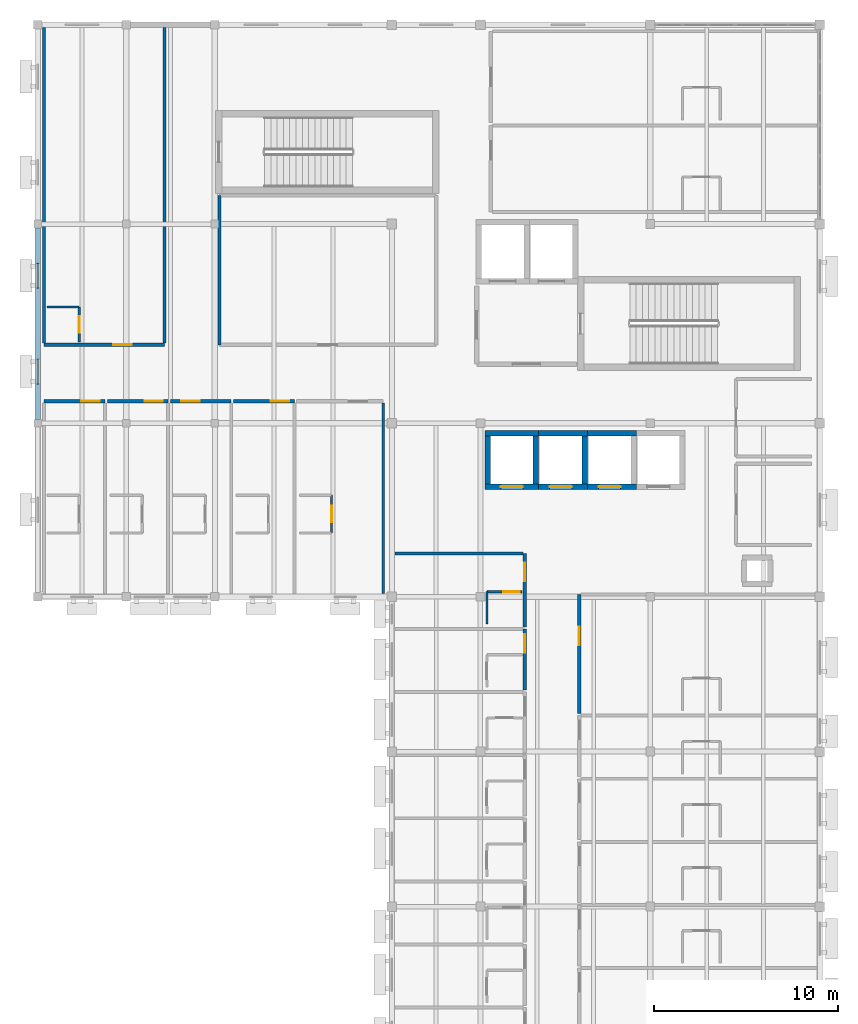
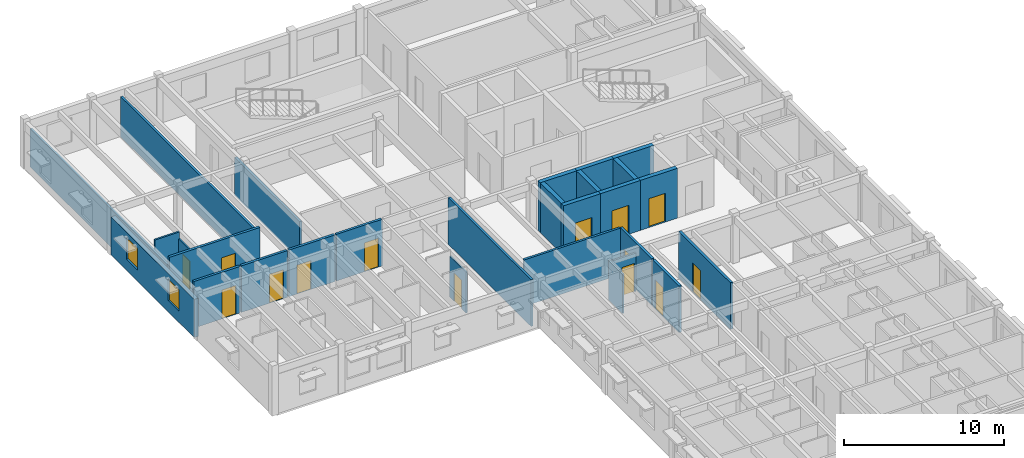
# One storey, part 13 of 22: 28 walls, 14 doors, 2 windows, 16 openings.
"""IFC4 building model written with IfcOpenShell, lengths in metres."""

from ifc_helpers import new_model, si_unit, direction, frame, frame_2d, origin, place, context, subcontext, project, spatial, rectangle, extrude, material, layer, layer_set, type_object, element, fill, save


model = new_model("IFC4")

# Units and contexts
model_context = context("Model", 3, precision=1e-05, world=origin(), true_north=direction((0.0, 1.0)))
body_context = subcontext(model_context, "Body", "Model", "MODEL_VIEW")
ifc_project = project(units=[si_unit("LENGTHUNIT", "METRE"), si_unit("AREAUNIT", "SQUARE_METRE"), si_unit("VOLUMEUNIT", "CUBIC_METRE"), si_unit("PLANEANGLEUNIT", "RADIAN"), si_unit("MASSUNIT", "GRAM", prefix="KILO")], contexts=[model_context])

# Site, building, storey
site_placement = place(None, origin())
site = spatial("IfcSite", under=ifc_project, at=site_placement, CompositionType="ELEMENT")
building_placement = place(site_placement, origin())
building = spatial("IfcBuilding", under=site, at=building_placement, Name="Veldera Park Congress Hotel", CompositionType="ELEMENT")
storey_placement = place(building_placement, frame((0.0, 0.0, 23.800048828125)))
storey = spatial("IfcBuildingStorey", under=building, at=storey_placement, Name="L05", CompositionType="ELEMENT", Elevation=23.800048828125)

# Wall, openings, windows
ifc_material_1 = material(Name="Cross-laminated timber CLT V2M1.1", Category="wood")
ifc_layer_1 = layer(ifc_material_1, 0.300048828125)
ifc_layer_set_1 = layer_set([ifc_layer_1], Name="Cross-laminated timber CLT V2M1.1")
wall_type_1 = type_object("IfcWallType", Name="EW-CLT300", PredefinedType="STANDARD", material=ifc_layer_set_1)
wall_1_placement = place(storey_placement, frame((41.60009765625, 46.991943359375, 0.0), z_axis=(0.0, 0.0, 1.0), x_axis=(0.0, -1.0, 0.0)))
wall_1 = element("IfcWall", 1, at=wall_1_placement, inside=storey, type_object=wall_type_1, Name="L05 Exterior Wall EW3-L05-0295", PredefinedType="STANDARD", context=body_context, shape_type="SweptSolid", body=[
    extrude(rectangle(XDim=10.384033203125, YDim=0.300048828125, at=frame_2d((5.19189453125, 0.0))), origin(), (0.0, 0.0, 1.0), 2.905029296875),
])
opening_1_placement = place(wall_1_placement, frame((1.9208984375, 0.0, 0.85009765625)))
opening_1 = element("IfcOpeningElement", 2, at=opening_1_placement, cuts=wall_1, Name="Opening WIN-1350", PredefinedType="OPENING", context=body_context, shape_type="SweptSolid", body=[
    extrude(rectangle(XDim=1.35009765625, YDim=1.64990234375, at=frame_2d((0.675048828125, 0.824951171875))), frame((0.0, 0.162109375, 0.0), z_axis=(0.0, -1.0, 0.0), x_axis=(1.0, 0.0, 0.0)), (0.0, 0.0, 1.0), 0.323974609375),
])
opening_2_placement = place(wall_1_placement, frame((7.113037109375, 0.0, 0.85009765625)))
opening_2 = element("IfcOpeningElement", 3, at=opening_2_placement, cuts=wall_1, Name="Opening WIN-1350", PredefinedType="OPENING", context=body_context, shape_type="SweptSolid", body=[
    extrude(rectangle(XDim=1.35009765625, YDim=1.64990234375, at=frame_2d((0.675048828125, 0.824951171875))), frame((0.0, 0.162109375, 0.0), z_axis=(0.0, -1.0, 0.0), x_axis=(1.0, 0.0, 0.0)), (0.0, 0.0, 1.0), 0.323974609375),
])
ifc_material_2 = material(Name="Low-E Triple Insulating Glass Unit (SHGC 0.22)", Category="glass")
window_type = type_object("IfcWindowType", Name="WIN-1350", PartitioningType="SINGLE_PANEL", PredefinedType="WINDOW", material=ifc_material_2)
window_1_placement = place(opening_1_placement, origin())
window_1 = element("IfcWindow", 4, at=window_1_placement, inside=storey, type_object=window_type, Name="L05 Window WIN-1350 229", OverallHeight=1.64990234375, OverallWidth=1.35009765625, PartitioningType="SINGLE_PANEL", PredefinedType="WINDOW", context=body_context, shape_type="SweptSolid", body=[
    extrude(rectangle(XDim=1.35009765625, YDim=1.64990234375, at=frame_2d((0.675048828125, 0.824951171875))), frame((0.0, 0.030029296875, 0.0), z_axis=(0.0, -1.0, 0.0), x_axis=(1.0, 0.0, 0.0)), (0.0, 0.0, 1.0), 0.06005859375),
])
fill(opening_1, window_1)
window_2_placement = place(opening_2_placement, origin())
window_2 = element("IfcWindow", 5, at=window_2_placement, inside=storey, type_object=window_type, Name="L05 Window WIN-1350 230", OverallHeight=1.64990234375, OverallWidth=1.35009765625, PartitioningType="SINGLE_PANEL", PredefinedType="WINDOW", context=body_context, shape_type="SweptSolid", body=[
    extrude(rectangle(XDim=1.35009765625, YDim=1.64990234375, at=frame_2d((0.675048828125, 0.824951171875))), frame((0.0, 0.030029296875, 0.0), z_axis=(0.0, -1.0, 0.0), x_axis=(1.0, 0.0, 0.0)), (0.0, 0.0, 1.0), 0.06005859375),
])
fill(opening_2, window_2)

# Wall
ifc_material_3 = material(Name="Fire-Rated Gypsum Board on Cold-Formed Steel Studs", Category="steel")
ifc_layer_2 = layer(ifc_material_3, 0.1201171875)
ifc_layer_set_2 = layer_set([ifc_layer_2], Name="Fire-Rated Gypsum Board on Cold-Formed Steel Studs")
wall_type_2 = type_object("IfcWallType", Name="IW-BATH120", PredefinedType="PARTITIONING", material=ifc_layer_set_2)
wall_2_placement = place(storey_placement, frame((65.949951171875, 25.52001953125, 0.0), z_axis=(0.0, 0.0, 1.0), x_axis=(0.0, 1.0, 0.0)))
element("IfcWall", 6, at=wall_2_placement, inside=storey, type_object=wall_type_2, Name="L05 Partition Wall IW3-L05-01075", PredefinedType="PARTITIONING", context=body_context, shape_type="SweptSolid", body=[
    extrude(rectangle(XDim=1.75, YDim=0.1201171875, at=frame_2d((0.875, 0.0))), origin(), (0.0, 0.0, 1.0), 3.0048828125),
])

# Wall, opening, door
wall_3_placement = place(storey_placement, frame((65.949951171875, 27.27001953125, 0.0), z_axis=(0.0, 0.0, 1.0), x_axis=(1.0, 0.0, 0.0)))
wall_3 = element("IfcWall", 7, at=wall_3_placement, inside=storey, type_object=wall_type_2, Name="L05 Partition Wall IW3-L05-01076", PredefinedType="PARTITIONING", context=body_context, shape_type="SweptSolid", body=[
    extrude(rectangle(XDim=1.900146484375, YDim=0.1201171875, at=frame_2d((0.9501953125, 0.0))), origin(), (0.0, 0.0, 1.0), 2.905029296875),
])
opening_3_placement = place(wall_3_placement, frame((0.8798828125, 0.0, 0.0)))
opening_3 = element("IfcOpeningElement", 8, at=opening_3_placement, cuts=wall_3, Name="Opening ID-BATH090", PredefinedType="OPENING", context=body_context, shape_type="SweptSolid", body=[
    extrude(rectangle(XDim=0.89990234375, YDim=2.14990234375, at=frame_2d((0.449951171875, 1.074951171875))), frame((0.0, 0.072021484375, 0.0), z_axis=(0.0, -1.0, 0.0), x_axis=(1.0, 0.0, 0.0)), (0.0, 0.0, 1.0), 0.14404296875),
])
ifc_material_4 = material(Name="Solid Core White Oak Architectural Door", Category="wood")
door_type_1 = type_object("IfcDoorType", Name="ID-BATH090", OperationType="NOTDEFINED", PredefinedType="DOOR", material=ifc_material_4)
door_1_placement = place(opening_3_placement, origin())
door_1 = element("IfcDoor", 9, at=door_1_placement, inside=storey, type_object=door_type_1, Name="L05 En-suite 155 Door ID3-L05-0449 (DR3-ID3-L05-0449)", OperationType="SINGLE_SWING_LEFT", OverallHeight=2.14990234375, OverallWidth=0.89990234375, PredefinedType="DOOR", context=body_context, shape_type="SweptSolid", body=[
    extrude(rectangle(XDim=0.89990234375, YDim=2.14990234375, at=frame_2d((0.449951171875, 1.074951171875))), frame((0.0, 0.02490234375, 0.0), z_axis=(0.0, -1.0, 0.0), x_axis=(1.0, 0.0, 0.0)), (0.0, 0.0, 1.0), 0.050048828125),
])
fill(opening_3, door_1)

wall_4_placement = place(storey_placement, frame((57.530029296875, 30.449951171875, 0.0), z_axis=(0.0, 0.0, 1.0), x_axis=(0.0, 1.0, 0.0)))
wall_4 = element("IfcWall", 10, at=wall_4_placement, inside=storey, type_object=wall_type_2, Name="L05 Partition Wall IW3-L05-01173", PredefinedType="PARTITIONING", context=body_context, shape_type="SweptSolid", body=[
    extrude(rectangle(XDim=2.050048828125, YDim=0.1201171875, at=frame_2d((1.02490234375, 0.0))), origin(), (0.0, 0.0, 1.0), 3.094970703125),
])
opening_4_placement = place(wall_4_placement, frame((0.574951171875, 0.0, 0.0)))
opening_4 = element("IfcOpeningElement", 11, at=opening_4_placement, cuts=wall_4, Name="Opening ID-BATH090", PredefinedType="OPENING", context=body_context, shape_type="SweptSolid", body=[
    extrude(rectangle(XDim=0.89990234375, YDim=2.14990234375, at=frame_2d((0.449951171875, 1.074951171875))), frame((0.0, 0.072021484375, 0.0), z_axis=(0.0, -1.0, 0.0), x_axis=(1.0, 0.0, 0.0)), (0.0, 0.0, 1.0), 0.14404296875),
])
door_2_placement = place(opening_4_placement, origin())
door_2 = element("IfcDoor", 12, at=door_2_placement, inside=storey, type_object=door_type_1, Name="L05 En-suite 174 Door ID3-L05-0487 (DR3-ID3-L05-0487)", OperationType="SINGLE_SWING_LEFT", OverallHeight=2.14990234375, OverallWidth=0.89990234375, PredefinedType="DOOR", context=body_context, shape_type="SweptSolid", body=[
    extrude(rectangle(XDim=0.89990234375, YDim=2.14990234375, at=frame_2d((0.449951171875, 1.074951171875))), frame((0.0, 0.02490234375, 0.0), z_axis=(0.0, -1.0, 0.0), x_axis=(1.0, 0.0, 0.0)), (0.0, 0.0, 1.0), 0.050048828125),
])
fill(opening_4, door_2)

wall_5_placement = place(storey_placement, frame((43.85009765625, 40.800048828125, 0.0), z_axis=(0.0, 0.0, 1.0), x_axis=(0.0, 1.0, 0.0)))
wall_5 = element("IfcWall", 13, at=wall_5_placement, inside=storey, type_object=wall_type_2, Name="L05 Partition Wall IW3-L05-01189", PredefinedType="PARTITIONING", context=body_context, shape_type="SweptSolid", body=[
    extrude(rectangle(XDim=1.89990234375, YDim=0.1201171875, at=frame_2d((0.949951171875, 0.0))), origin(), (0.0, 0.0, 1.0), 3.050048828125),
])
opening_5_placement = place(wall_5_placement, frame((0.5, 0.0, 0.0)))
opening_5 = element("IfcOpeningElement", 14, at=opening_5_placement, cuts=wall_5, Name="Opening ID-BATH090", PredefinedType="OPENING", context=body_context, shape_type="SweptSolid", body=[
    extrude(rectangle(XDim=0.89990234375, YDim=2.14990234375, at=frame_2d((0.449951171875, 1.074951171875))), frame((0.0, 0.072021484375, 0.0), z_axis=(0.0, -1.0, 0.0), x_axis=(1.0, 0.0, 0.0)), (0.0, 0.0, 1.0), 0.14404296875),
])
door_3_placement = place(opening_5_placement, origin())
door_3 = element("IfcDoor", 15, at=door_3_placement, inside=storey, type_object=door_type_1, Name="L05 En-suite 177 Door ID3-L05-0493 (DR3-ID3-L05-0493)", OperationType="SINGLE_SWING_LEFT", OverallHeight=2.14990234375, OverallWidth=0.89990234375, PredefinedType="DOOR", context=body_context, shape_type="SweptSolid", body=[
    extrude(rectangle(XDim=0.89990234375, YDim=2.14990234375, at=frame_2d((0.449951171875, 1.074951171875))), frame((0.0, 0.02490234375, 0.0), z_axis=(0.0, -1.0, 0.0), x_axis=(1.0, 0.0, 0.0)), (0.0, 0.0, 1.0), 0.050048828125),
])
fill(opening_5, door_3)

# Walls
wall_6_placement = place(storey_placement, frame((42.10009765625, 42.699951171875, 0.0), z_axis=(0.0, 0.0, 1.0), x_axis=(1.0, 0.0, 0.0)))
element("IfcWall", 16, at=wall_6_placement, inside=storey, type_object=wall_type_2, Name="L05 Partition Wall IW3-L05-01190", PredefinedType="PARTITIONING", context=body_context, shape_type="SweptSolid", body=[
    extrude(rectangle(XDim=1.75, YDim=0.1201171875, at=frame_2d((0.875, 0.0))), origin(), (0.0, 0.0, 1.0), 3.550048828125),
])
ifc_layer_3 = layer(ifc_material_3, 0.179931640625)
ifc_layer_set_3 = layer_set([ifc_layer_3], Name="Fire-Rated Gypsum Board on Cold-Formed Steel Studs")
wall_type_3 = type_object("IfcWallType", Name="IW-CORR180", PredefinedType="PARTITIONING", material=ifc_layer_set_3)
wall_7_placement = place(storey_placement, frame((51.449951171875, 48.75, 0.0), z_axis=(0.0, 0.0, 1.0), x_axis=(0.0, -1.0, 0.0)))
element("IfcWall", 17, at=wall_7_placement, inside=storey, type_object=wall_type_3, Name="L05 Partition Wall IW3-L05-00265", PredefinedType="PARTITIONING", context=body_context, shape_type="SweptSolid", body=[
    extrude(rectangle(XDim=8.10009765625, YDim=0.179931640625, at=frame_2d((4.050048828125, 0.0))), origin(), (0.0, 0.0, 1.0), 2.905029296875),
])

# Wall, opening, door
wall_8_placement = place(storey_placement, frame((68.0, 21.949951171875, 0.0), z_axis=(0.0, 0.0, 1.0), x_axis=(0.0, 1.0, 0.0)))
wall_8 = element("IfcWall", 18, at=wall_8_placement, inside=storey, type_object=wall_type_3, Name="L05 Corridor Wall IW3-L05-01069", PredefinedType="PARTITIONING", context=body_context, shape_type="SweptSolid", body=[
    extrude(rectangle(XDim=3.300048828125, YDim=0.179931640625, at=frame_2d((1.64990234375, 0.0))), origin(), (0.0, 0.0, 1.0), 3.550048828125),
])
opening_6_placement = place(wall_8_placement, frame((2.02001953125, 0.0, 0.0)))
opening_6 = element("IfcOpeningElement", 19, at=opening_6_placement, cuts=wall_8, Name="Opening ID-UNIT100", PredefinedType="OPENING", context=body_context, shape_type="SweptSolid", body=[
    extrude(rectangle(XDim=1.0, YDim=2.199951171875, at=frame_2d((0.5, 1.10009765625))), frame((0.0, 0.10205078125, 0.0), z_axis=(0.0, -1.0, 0.0), x_axis=(1.0, 0.0, 0.0)), (0.0, 0.0, 1.0), 0.203857421875),
])
door_type_2 = type_object("IfcDoorType", Name="ID-UNIT100", OperationType="NOTDEFINED", PredefinedType="DOOR", material=ifc_material_4)
door_4_placement = place(opening_6_placement, origin())
door_4 = element("IfcDoor", 20, at=door_4_placement, inside=storey, type_object=door_type_2, Name="L05 Guestroom 154 Entry Door (DR3-UD3-L05-154)", OperationType="SINGLE_SWING_RIGHT", OverallHeight=2.199951171875, OverallWidth=1.0, PredefinedType="DOOR", context=body_context, shape_type="SweptSolid", body=[
    extrude(rectangle(XDim=1.0, YDim=2.199951171875, at=frame_2d((0.5, 1.10009765625))), frame((0.0, 0.02490234375, 0.0), z_axis=(0.0, -1.0, 0.0), x_axis=(1.0, 0.0, 0.0)), (0.0, 0.0, 1.0), 0.050048828125),
])
fill(opening_6, door_4)

wall_9_placement = place(storey_placement, frame((68.0, 25.3701171875, 0.0), z_axis=(0.0, 0.0, 1.0), x_axis=(0.0, 1.0, 0.0)))
wall_9 = element("IfcWall", 21, at=wall_9_placement, inside=storey, type_object=wall_type_3, Name="L05 Corridor Wall IW3-L05-01073", PredefinedType="PARTITIONING", context=body_context, shape_type="SweptSolid", body=[
    extrude(rectangle(XDim=3.9599609375, YDim=0.179931640625, at=frame_2d((1.97998046875, 0.0))), origin(), (0.0, 0.0, 1.0), 3.550048828125),
])
opening_7_placement = place(wall_9_placement, frame((2.4599609375, 0.0, 0.0)))
opening_7 = element("IfcOpeningElement", 22, at=opening_7_placement, cuts=wall_9, Name="Opening ID-UNIT100", PredefinedType="OPENING", context=body_context, shape_type="SweptSolid", body=[
    extrude(rectangle(XDim=1.0, YDim=2.199951171875, at=frame_2d((0.5, 1.10009765625))), frame((0.0, 0.10205078125, 0.0), z_axis=(0.0, -1.0, 0.0), x_axis=(1.0, 0.0, 0.0)), (0.0, 0.0, 1.0), 0.203857421875),
])
door_5_placement = place(opening_7_placement, origin())
door_5 = element("IfcDoor", 23, at=door_5_placement, inside=storey, type_object=door_type_2, Name="L05 Guestroom 155 Entry Door (DR3-UD3-L05-155)", OperationType="SINGLE_SWING_RIGHT", OverallHeight=2.199951171875, OverallWidth=1.0, PredefinedType="DOOR", context=body_context, shape_type="SweptSolid", body=[
    extrude(rectangle(XDim=1.0, YDim=2.199951171875, at=frame_2d((0.5, 1.10009765625))), frame((0.0, 0.02490234375, 0.0), z_axis=(0.0, -1.0, 0.0), x_axis=(1.0, 0.0, 0.0)), (0.0, 0.0, 1.0), 0.050048828125),
])
fill(opening_7, door_5)

wall_10_placement = place(storey_placement, frame((70.949951171875, 27.1298828125, 0.0), z_axis=(0.0, 0.0, 1.0), x_axis=(0.0, -1.0, 0.0)))
wall_10 = element("IfcWall", 24, at=wall_10_placement, inside=storey, type_object=wall_type_3, Name="L05 Corridor Wall IW3-L05-01144", PredefinedType="PARTITIONING", context=body_context, shape_type="SweptSolid", body=[
    extrude(rectangle(XDim=6.4599609375, YDim=0.179931640625, at=frame_2d((3.22998046875, 0.0))), origin(), (0.0, 0.0, 1.0), 3.550048828125),
])
opening_8_placement = place(wall_10_placement, frame((1.75, 0.0, 0.0)))
opening_8 = element("IfcOpeningElement", 25, at=opening_8_placement, cuts=wall_10, Name="Opening ID-UNIT100", PredefinedType="OPENING", context=body_context, shape_type="SweptSolid", body=[
    extrude(rectangle(XDim=1.0, YDim=2.199951171875, at=frame_2d((0.5, 1.10009765625))), frame((0.0, 0.10205078125, 0.0), z_axis=(0.0, -1.0, 0.0), x_axis=(1.0, 0.0, 0.0)), (0.0, 0.0, 1.0), 0.203857421875),
])
door_6_placement = place(opening_8_placement, origin())
door_6 = element("IfcDoor", 26, at=door_6_placement, inside=storey, type_object=door_type_2, Name="L05 Guestroom 169 Entry Door (DR3-UD3-L05-169)", OperationType="SINGLE_SWING_RIGHT", OverallHeight=2.199951171875, OverallWidth=1.0, PredefinedType="DOOR", context=body_context, shape_type="SweptSolid", body=[
    extrude(rectangle(XDim=1.0, YDim=2.199951171875, at=frame_2d((0.5, 1.10009765625))), frame((0.0, 0.02490234375, 0.0), z_axis=(0.0, -1.0, 0.0), x_axis=(1.0, 0.0, 0.0)), (0.0, 0.0, 1.0), 0.050048828125),
])
fill(opening_8, door_6)

wall_11_placement = place(storey_placement, frame((45.25, 37.60009765625, 0.0), z_axis=(0.0, 0.0, 1.0), x_axis=(-1.0, 0.0, 0.0)))
wall_11 = element("IfcWall", 27, at=wall_11_placement, inside=storey, type_object=wall_type_3, Name="L05 Corridor Wall IW3-L05-01149", PredefinedType="PARTITIONING", context=body_context, shape_type="SweptSolid", body=[
    extrude(rectangle(XDim=3.300048828125, YDim=0.179931640625, at=frame_2d((1.64990234375, 0.0))), origin(), (0.0, 0.0, 1.0), 3.550048828125),
])
opening_9_placement = place(wall_11_placement, frame((0.280029296875, 0.0, 0.0)))
opening_9 = element("IfcOpeningElement", 28, at=opening_9_placement, cuts=wall_11, Name="Opening ID-UNIT100", PredefinedType="OPENING", context=body_context, shape_type="SweptSolid", body=[
    extrude(rectangle(XDim=1.0, YDim=2.199951171875, at=frame_2d((0.5, 1.10009765625))), frame((0.0, 0.10205078125, 0.0), z_axis=(0.0, -1.0, 0.0), x_axis=(1.0, 0.0, 0.0)), (0.0, 0.0, 1.0), 0.203857421875),
])
door_7_placement = place(opening_9_placement, frame((1.0, 0.0, 0.0), z_axis=(0.0, 0.0, 1.0), x_axis=(-1.0, 0.0, 0.0)))
door_7 = element("IfcDoor", 29, at=door_7_placement, inside=storey, type_object=door_type_2, Name="L05 Guestroom 170 Entry Door (DR3-UD3-L05-170)", OperationType="SINGLE_SWING_RIGHT", OverallHeight=2.199951171875, OverallWidth=1.0, PredefinedType="DOOR", context=body_context, shape_type="SweptSolid", body=[
    extrude(rectangle(XDim=1.0, YDim=2.199951171875, at=frame_2d((0.5, 1.10009765625))), frame((0.0, 0.02490234375, 0.0), z_axis=(0.0, -1.0, 0.0), x_axis=(1.0, 0.0, 0.0)), (0.0, 0.0, 1.0), 0.050048828125),
])
fill(opening_9, door_7)

wall_12_placement = place(storey_placement, frame((48.669921875, 37.60009765625, 0.0), z_axis=(0.0, 0.0, 1.0), x_axis=(-1.0, 0.0, 0.0)))
wall_12 = element("IfcWall", 30, at=wall_12_placement, inside=storey, type_object=wall_type_3, Name="L05 Corridor Wall IW3-L05-01155", PredefinedType="PARTITIONING", context=body_context, shape_type="SweptSolid", body=[
    extrude(rectangle(XDim=3.2998046875, YDim=0.179931640625, at=frame_2d((1.64990234375, 0.0))), origin(), (0.0, 0.0, 1.0), 3.550048828125),
])
opening_10_placement = place(wall_12_placement, frame((0.280029296875, 0.0, 0.0)))
opening_10 = element("IfcOpeningElement", 31, at=opening_10_placement, cuts=wall_12, Name="Opening ID-UNIT100", PredefinedType="OPENING", context=body_context, shape_type="SweptSolid", body=[
    extrude(rectangle(XDim=1.0, YDim=2.199951171875, at=frame_2d((0.5, 1.10009765625))), frame((0.0, 0.10205078125, 0.0), z_axis=(0.0, -1.0, 0.0), x_axis=(1.0, 0.0, 0.0)), (0.0, 0.0, 1.0), 0.203857421875),
])
door_8_placement = place(opening_10_placement, frame((1.0, 0.0, 0.0), z_axis=(0.0, 0.0, 1.0), x_axis=(-1.0, 0.0, 0.0)))
door_8 = element("IfcDoor", 32, at=door_8_placement, inside=storey, type_object=door_type_2, Name="L05 Guestroom 171 Entry Door (DR3-UD3-L05-171)", OperationType="SINGLE_SWING_RIGHT", OverallHeight=2.199951171875, OverallWidth=1.0, PredefinedType="DOOR", context=body_context, shape_type="SweptSolid", body=[
    extrude(rectangle(XDim=1.0, YDim=2.199951171875, at=frame_2d((0.5, 1.10009765625))), frame((0.0, 0.02490234375, 0.0), z_axis=(0.0, -1.0, 0.0), x_axis=(1.0, 0.0, 0.0)), (0.0, 0.0, 1.0), 0.050048828125),
])
fill(opening_10, door_8)

wall_13_placement = place(storey_placement, frame((52.090087890625, 37.60009765625, 0.0), z_axis=(0.0, 0.0, 1.0), x_axis=(-1.0, 0.0, 0.0)))
wall_13 = element("IfcWall", 33, at=wall_13_placement, inside=storey, type_object=wall_type_3, Name="L05 Corridor Wall IW3-L05-01160", PredefinedType="PARTITIONING", context=body_context, shape_type="SweptSolid", body=[
    extrude(rectangle(XDim=3.300048828125, YDim=0.179931640625, at=frame_2d((1.64990234375, 0.0))), origin(), (0.0, 0.0, 1.0), 3.550048828125),
])
opening_11_placement = place(wall_13_placement, frame((1.716552734375, 0.0, 0.0)))
opening_11 = element("IfcOpeningElement", 34, at=opening_11_placement, cuts=wall_13, Name="Opening ID-UNIT100", PredefinedType="OPENING", context=body_context, shape_type="SweptSolid", body=[
    extrude(rectangle(XDim=1.0, YDim=2.199951171875, at=frame_2d((0.5, 1.10009765625))), frame((0.0, 0.10205078125, 0.0), z_axis=(0.0, -1.0, 0.0), x_axis=(1.0, 0.0, 0.0)), (0.0, 0.0, 1.0), 0.203857421875),
])
door_9_placement = place(opening_11_placement, frame((1.0, 0.0, 0.0), z_axis=(0.0, 0.0, 1.0), x_axis=(-1.0, 0.0, 0.0)))
door_9 = element("IfcDoor", 35, at=door_9_placement, inside=storey, type_object=door_type_2, Name="L05 Guestroom 172 Entry Door (DR3-UD3-L05-172)", OperationType="SINGLE_SWING_RIGHT", OverallHeight=2.199951171875, OverallWidth=1.0, PredefinedType="DOOR", context=body_context, shape_type="SweptSolid", body=[
    extrude(rectangle(XDim=1.0, YDim=2.199951171875, at=frame_2d((0.5, 1.10009765625))), frame((0.0, 0.02490234375, 0.0), z_axis=(0.0, -1.0, 0.0), x_axis=(1.0, 0.0, 0.0)), (0.0, 0.0, 1.0), 0.050048828125),
])
fill(opening_11, door_9)

wall_14_placement = place(storey_placement, frame((55.510009765625, 37.60009765625, 0.0), z_axis=(0.0, 0.0, 1.0), x_axis=(-1.0, 0.0, 0.0)))
wall_14 = element("IfcWall", 36, at=wall_14_placement, inside=storey, type_object=wall_type_3, Name="L05 Corridor Wall IW3-L05-01165", PredefinedType="PARTITIONING", context=body_context, shape_type="SweptSolid", body=[
    extrude(rectangle(XDim=3.300048828125, YDim=0.179931640625, at=frame_2d((1.64990234375, 0.0))), origin(), (0.0, 0.0, 1.0), 3.550048828125),
])
opening_12_placement = place(wall_14_placement, frame((0.280029296875, 0.0, 0.0)))
opening_12 = element("IfcOpeningElement", 37, at=opening_12_placement, cuts=wall_14, Name="Opening ID-UNIT100", PredefinedType="OPENING", context=body_context, shape_type="SweptSolid", body=[
    extrude(rectangle(XDim=1.0, YDim=2.199951171875, at=frame_2d((0.5, 1.10009765625))), frame((0.0, 0.10205078125, 0.0), z_axis=(0.0, -1.0, 0.0), x_axis=(1.0, 0.0, 0.0)), (0.0, 0.0, 1.0), 0.203857421875),
])
door_10_placement = place(opening_12_placement, frame((1.0, 0.0, 0.0), z_axis=(0.0, 0.0, 1.0), x_axis=(-1.0, 0.0, 0.0)))
door_10 = element("IfcDoor", 38, at=door_10_placement, inside=storey, type_object=door_type_2, Name="L05 Guestroom 173 Entry Door (DR3-UD3-L05-173)", OperationType="SINGLE_SWING_RIGHT", OverallHeight=2.199951171875, OverallWidth=1.0, PredefinedType="DOOR", context=body_context, shape_type="SweptSolid", body=[
    extrude(rectangle(XDim=1.0, YDim=2.199951171875, at=frame_2d((0.5, 1.10009765625))), frame((0.0, 0.02490234375, 0.0), z_axis=(0.0, -1.0, 0.0), x_axis=(1.0, 0.0, 0.0)), (0.0, 0.0, 1.0), 0.050048828125),
])
fill(opening_12, door_10)

wall_15_placement = place(storey_placement, frame((41.949951171875, 40.64990234375, 0.0), z_axis=(0.0, 0.0, 1.0), x_axis=(1.0, 0.0, 0.0)))
wall_15 = element("IfcWall", 39, at=wall_15_placement, inside=storey, type_object=wall_type_3, Name="L05 Corridor Wall IW3-L05-01186", PredefinedType="PARTITIONING", context=body_context, shape_type="SweptSolid", body=[
    extrude(rectangle(XDim=6.530029296875, YDim=0.179931640625, at=frame_2d((3.26513671875, 0.0))), origin(), (0.0, 0.0, 1.0), 3.550048828125),
])
opening_13_placement = place(wall_15_placement, frame((3.7451171875, 0.0, 0.0)))
opening_13 = element("IfcOpeningElement", 40, at=opening_13_placement, cuts=wall_15, Name="Opening ID-UNIT100", PredefinedType="OPENING", context=body_context, shape_type="SweptSolid", body=[
    extrude(rectangle(XDim=1.0, YDim=2.199951171875, at=frame_2d((0.5, 1.10009765625))), frame((0.0, 0.10205078125, 0.0), z_axis=(0.0, -1.0, 0.0), x_axis=(1.0, 0.0, 0.0)), (0.0, 0.0, 1.0), 0.203857421875),
])
door_11_placement = place(opening_13_placement, frame((1.0, 0.0, 0.0), z_axis=(0.0, 0.0, 1.0), x_axis=(-1.0, 0.0, 0.0)))
door_11 = element("IfcDoor", 41, at=door_11_placement, inside=storey, type_object=door_type_2, Name="L05 Guestroom 177 Entry Door (DR3-UD3-L05-177)", OperationType="SINGLE_SWING_RIGHT", OverallHeight=2.199951171875, OverallWidth=1.0, PredefinedType="DOOR", context=body_context, shape_type="SweptSolid", body=[
    extrude(rectangle(XDim=1.0, YDim=2.199951171875, at=frame_2d((0.5, 1.10009765625))), frame((0.0, 0.02490234375, 0.0), z_axis=(0.0, -1.0, 0.0), x_axis=(1.0, 0.0, 0.0)), (0.0, 0.0, 1.0), 0.050048828125),
])
fill(opening_13, door_11)

# Walls
ifc_layer_4 = layer(ifc_material_1, 0.159912109375)
ifc_layer_set_4 = layer_set([ifc_layer_4], Name="Cross-laminated timber CLT V2M1.1")
wall_type_4 = type_object("IfcWallType", Name="IW-UNIT160", PredefinedType="PARTITIONING", material=ifc_layer_set_4)
wall_16_placement = place(storey_placement, frame((60.9599609375, 29.330078125, 0.0), z_axis=(0.0, 0.0, 1.0), x_axis=(1.0, 0.0, 0.0)))
element("IfcWall", 42, at=wall_16_placement, inside=storey, type_object=wall_type_4, Name="L05 Partition Wall IW3-L05-01074", PredefinedType="PARTITIONING", context=body_context, shape_type="SweptSolid", body=[
    extrude(rectangle(XDim=6.93994140625, YDim=0.159912109375, at=frame_2d((3.469970703125, 0.0))), origin(), (0.0, 0.0, 1.0), 3.550048828125),
])
wall_17_placement = place(storey_placement, frame((60.330078125, 27.159912109375, 0.0), z_axis=(0.0, 0.0, 1.0), x_axis=(0.0, 1.0, 0.0)))
element("IfcWall", 43, at=wall_17_placement, inside=storey, type_object=wall_type_4, Name="L05 Partition Wall IW3-L05-01171", PredefinedType="PARTITIONING", context=body_context, shape_type="SweptSolid", body=[
    extrude(rectangle(XDim=10.340087890625, YDim=0.159912109375, at=frame_2d((5.169921875, 0.0))), origin(), (0.0, 0.0, 1.0), 3.550048828125),
])
wall_18_placement = place(storey_placement, frame((41.949951171875, 40.75, 0.0), z_axis=(0.0, 0.0, 1.0), x_axis=(0.0, 1.0, 0.0)))
element("IfcWall", 44, at=wall_18_placement, inside=storey, type_object=wall_type_4, Name="L05 Partition Wall IW3-L05-01187", PredefinedType="PARTITIONING", context=body_context, shape_type="SweptSolid", body=[
    extrude(rectangle(XDim=17.090087890625, YDim=0.159912109375, at=frame_2d((8.544921875, 0.0))), origin(), (0.0, 0.0, 1.0), 2.905029296875),
])
wall_19_placement = place(storey_placement, frame((48.47998046875, 40.75, 0.0), z_axis=(0.0, 0.0, 1.0), x_axis=(0.0, 1.0, 0.0)))
element("IfcWall", 45, at=wall_19_placement, inside=storey, type_object=wall_type_4, Name="L05 Partition Wall IW3-L05-01188", PredefinedType="PARTITIONING", context=body_context, shape_type="SweptSolid", body=[
    extrude(rectangle(XDim=17.090087890625, YDim=0.159912109375, at=frame_2d((8.544921875, 0.0))), origin(), (0.0, 0.0, 1.0), 3.050048828125),
])

# Wall, opening, door
ifc_material_5 = material(Name="Concrete f'c 40 MPa (5,800 psi)", Category="concrete")
ifc_layer_5 = layer(ifc_material_5, 0.300048828125)
ifc_layer_set_5 = layer_set([ifc_layer_5], Name="Concrete f'c 40 MPa (5,800 psi)")
wall_type_5 = type_object("IfcWallType", Name="SW-SHFT300", PredefinedType="SHEAR", material=ifc_layer_set_5)
wall_20_placement = place(storey_placement, frame((65.85009765625, 32.949951171875, 0.0), z_axis=(0.0, 0.0, 1.0), x_axis=(1.0, 0.0, 0.0)))
wall_20 = element("IfcWall", 46, at=wall_20_placement, inside=storey, type_object=wall_type_5, Name="Lift PL-01 Shaft Wall L05-S", PredefinedType="SHEAR", context=body_context, shape_type="SweptSolid", body=[
    extrude(rectangle(XDim=2.89990234375, YDim=0.300048828125, at=frame_2d((1.449951171875, 0.0))), origin(), (0.0, 0.0, 1.0), 3.800048828125),
])
opening_14_placement = place(wall_20_placement, frame((0.85009765625, 0.0, 0.0)))
opening_14 = element("IfcOpeningElement", 47, at=opening_14_placement, cuts=wall_20, Name="Opening LD-120", PredefinedType="OPENING", context=body_context, shape_type="SweptSolid", body=[
    extrude(rectangle(XDim=1.199951171875, YDim=2.199951171875, at=frame_2d((0.60009765625, 1.10009765625))), frame((0.0, 0.162109375, 0.0), z_axis=(0.0, -1.0, 0.0), x_axis=(1.0, 0.0, 0.0)), (0.0, 0.0, 1.0), 0.323974609375),
])
ifc_material_6 = material(Name="Hollow Metal Fire-Rated Steel Door", Category="steel")
door_type_3 = type_object("IfcDoorType", Name="LD-120", OperationType="DOUBLE_DOOR_SLIDING", PredefinedType="DOOR", material=ifc_material_6)
door_12_placement = place(opening_14_placement, origin())
door_12 = element("IfcDoor", 48, at=door_12_placement, inside=storey, type_object=door_type_3, Name="L05 Lift PL-01 Landing Door (DR3-LD-PL-01-L05)", OperationType="DOUBLE_DOOR_SLIDING", OverallHeight=2.199951171875, OverallWidth=1.199951171875, PredefinedType="DOOR", context=body_context, shape_type="SweptSolid", body=[
    extrude(rectangle(XDim=1.199951171875, YDim=2.199951171875, at=frame_2d((0.60009765625, 1.10009765625))), frame((0.0, 0.02490234375, 0.0), z_axis=(0.0, -1.0, 0.0), x_axis=(1.0, 0.0, 0.0)), (0.0, 0.0, 1.0), 0.050048828125),
])
fill(opening_14, door_12)

# Walls
wall_21_placement = place(storey_placement, frame((68.75, 35.85009765625, 0.0), z_axis=(0.0, 0.0, 1.0), x_axis=(-1.0, 0.0, 0.0)))
element("IfcWall", 49, at=wall_21_placement, inside=storey, type_object=wall_type_5, Name="Lift PL-01 Shaft Wall L05-N", PredefinedType="SHEAR", context=body_context, shape_type="SweptSolid", body=[
    extrude(rectangle(XDim=2.89990234375, YDim=0.300048828125, at=frame_2d((1.449951171875, 0.0))), origin(), (0.0, 0.0, 1.0), 3.800048828125),
])
for number, where, z_axis, x_axis, name in (
    (50, (68.60009765625, 33.10009765625, 0.0), (0.0, 0.0, 1.0), (0.0, 1.0, 0.0), "Lift PL-01 Shaft Wall L05-E"),
    (51, (66.0, 35.699951171875, 0.0), (0.0, 0.0, 1.0), (0.0, -1.0, 0.0), "Lift PL-01 Shaft Wall L05-W"),
):
    element("IfcWall", number, at=place(storey_placement, frame(where, z_axis=z_axis, x_axis=x_axis)), inside=storey, type_object=wall_type_5, Name=name, PredefinedType="SHEAR", context=body_context, shape_type="SweptSolid", body=[
        extrude(rectangle(XDim=2.599853515625, YDim=0.300048828125, at=frame_2d((1.2998046875, 0.0))), origin(), (0.0, 0.0, 1.0), 3.800048828125),
    ])

# Wall, opening, door
wall_22_placement = place(storey_placement, frame((68.5, 32.949951171875, 0.0), z_axis=(0.0, 0.0, 1.0), x_axis=(1.0, 0.0, 0.0)))
wall_22 = element("IfcWall", 52, at=wall_22_placement, inside=storey, type_object=wall_type_5, Name="Lift PL-02 Shaft Wall L05-S", PredefinedType="SHEAR", context=body_context, shape_type="SweptSolid", body=[
    extrude(rectangle(XDim=2.89990234375, YDim=0.300048828125, at=frame_2d((1.449951171875, 0.0))), origin(), (0.0, 0.0, 1.0), 3.800048828125),
])
opening_15_placement = place(wall_22_placement, frame((0.85009765625, 0.0, 0.0)))
opening_15 = element("IfcOpeningElement", 53, at=opening_15_placement, cuts=wall_22, Name="Opening LD-120", PredefinedType="OPENING", context=body_context, shape_type="SweptSolid", body=[
    extrude(rectangle(XDim=1.199951171875, YDim=2.199951171875, at=frame_2d((0.60009765625, 1.10009765625))), frame((0.0, 0.162109375, 0.0), z_axis=(0.0, -1.0, 0.0), x_axis=(1.0, 0.0, 0.0)), (0.0, 0.0, 1.0), 0.323974609375),
])
door_13_placement = place(opening_15_placement, origin())
door_13 = element("IfcDoor", 54, at=door_13_placement, inside=storey, type_object=door_type_3, Name="L05 Lift PL-02 Landing Door (DR3-LD-PL-02-L05)", OperationType="DOUBLE_DOOR_SLIDING", OverallHeight=2.199951171875, OverallWidth=1.199951171875, PredefinedType="DOOR", context=body_context, shape_type="SweptSolid", body=[
    extrude(rectangle(XDim=1.199951171875, YDim=2.199951171875, at=frame_2d((0.60009765625, 1.10009765625))), frame((0.0, 0.02490234375, 0.0), z_axis=(0.0, -1.0, 0.0), x_axis=(1.0, 0.0, 0.0)), (0.0, 0.0, 1.0), 0.050048828125),
])
fill(opening_15, door_13)

# Walls
wall_23_placement = place(storey_placement, frame((71.39990234375, 35.85009765625, 0.0), z_axis=(0.0, 0.0, 1.0), x_axis=(-1.0, 0.0, 0.0)))
element("IfcWall", 55, at=wall_23_placement, inside=storey, type_object=wall_type_5, Name="Lift PL-02 Shaft Wall L05-N", PredefinedType="SHEAR", context=body_context, shape_type="SweptSolid", body=[
    extrude(rectangle(XDim=2.89990234375, YDim=0.300048828125, at=frame_2d((1.449951171875, 0.0))), origin(), (0.0, 0.0, 1.0), 3.800048828125),
])
wall_24_placement = place(storey_placement, frame((71.25, 33.10009765625, 0.0), z_axis=(0.0, 0.0, 1.0), x_axis=(0.0, 1.0, 0.0)))
element("IfcWall", 56, at=wall_24_placement, inside=storey, type_object=wall_type_5, Name="Lift PL-02 Shaft Wall L05-E", PredefinedType="SHEAR", context=body_context, shape_type="SweptSolid", body=[
    extrude(rectangle(XDim=2.599853515625, YDim=0.300048828125, at=frame_2d((1.2998046875, 0.0))), origin(), (0.0, 0.0, 1.0), 3.800048828125),
])

# Wall, opening, door
wall_25_placement = place(storey_placement, frame((71.14990234375, 32.949951171875, 0.0), z_axis=(0.0, 0.0, 1.0), x_axis=(1.0, 0.0, 0.0)))
wall_25 = element("IfcWall", 57, at=wall_25_placement, inside=storey, type_object=wall_type_5, Name="Lift PL-03 Shaft Wall L05-S", PredefinedType="SHEAR", context=body_context, shape_type="SweptSolid", body=[
    extrude(rectangle(XDim=2.900146484375, YDim=0.300048828125, at=frame_2d((1.4501953125, 0.0))), origin(), (0.0, 0.0, 1.0), 3.800048828125),
])
opening_16_placement = place(wall_25_placement, frame((0.85009765625, 0.0, 0.0)))
opening_16 = element("IfcOpeningElement", 58, at=opening_16_placement, cuts=wall_25, Name="Opening LD-120", PredefinedType="OPENING", context=body_context, shape_type="SweptSolid", body=[
    extrude(rectangle(XDim=1.199951171875, YDim=2.199951171875, at=frame_2d((0.60009765625, 1.10009765625))), frame((0.0, 0.162109375, 0.0), z_axis=(0.0, -1.0, 0.0), x_axis=(1.0, 0.0, 0.0)), (0.0, 0.0, 1.0), 0.323974609375),
])
door_14_placement = place(opening_16_placement, origin())
door_14 = element("IfcDoor", 59, at=door_14_placement, inside=storey, type_object=door_type_3, Name="L05 Lift PL-03 Landing Door (DR3-LD-PL-03-L05)", OperationType="DOUBLE_DOOR_SLIDING", OverallHeight=2.199951171875, OverallWidth=1.199951171875, PredefinedType="DOOR", context=body_context, shape_type="SweptSolid", body=[
    extrude(rectangle(XDim=1.199951171875, YDim=2.199951171875, at=frame_2d((0.60009765625, 1.10009765625))), frame((0.0, 0.02490234375, 0.0), z_axis=(0.0, -1.0, 0.0), x_axis=(1.0, 0.0, 0.0)), (0.0, 0.0, 1.0), 0.050048828125),
])
fill(opening_16, door_14)

# Wall
wall_26_placement = place(storey_placement, frame((74.050048828125, 35.85009765625, 0.0), z_axis=(0.0, 0.0, 1.0), x_axis=(-1.0, 0.0, 0.0)))
element("IfcWall", 60, at=wall_26_placement, inside=storey, type_object=wall_type_5, Name="Lift PL-03 Shaft Wall L05-N", PredefinedType="SHEAR", context=body_context, shape_type="SweptSolid", body=[
    extrude(rectangle(XDim=2.900146484375, YDim=0.300048828125, at=frame_2d((1.4501953125, 0.0))), origin(), (0.0, 0.0, 1.0), 3.800048828125),
])

save(model, "model.ifc")
